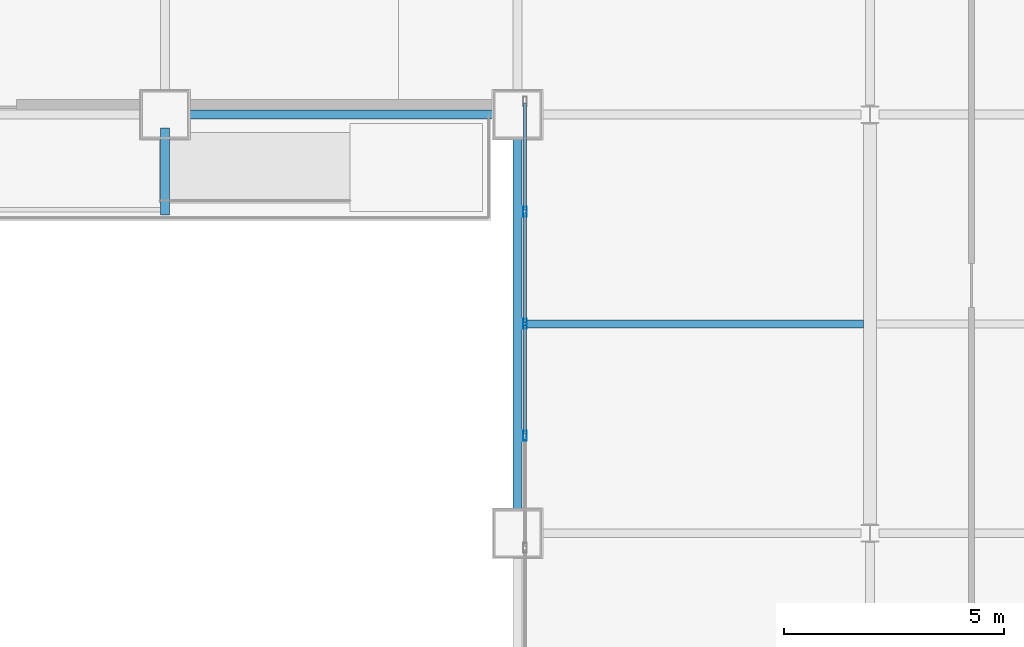
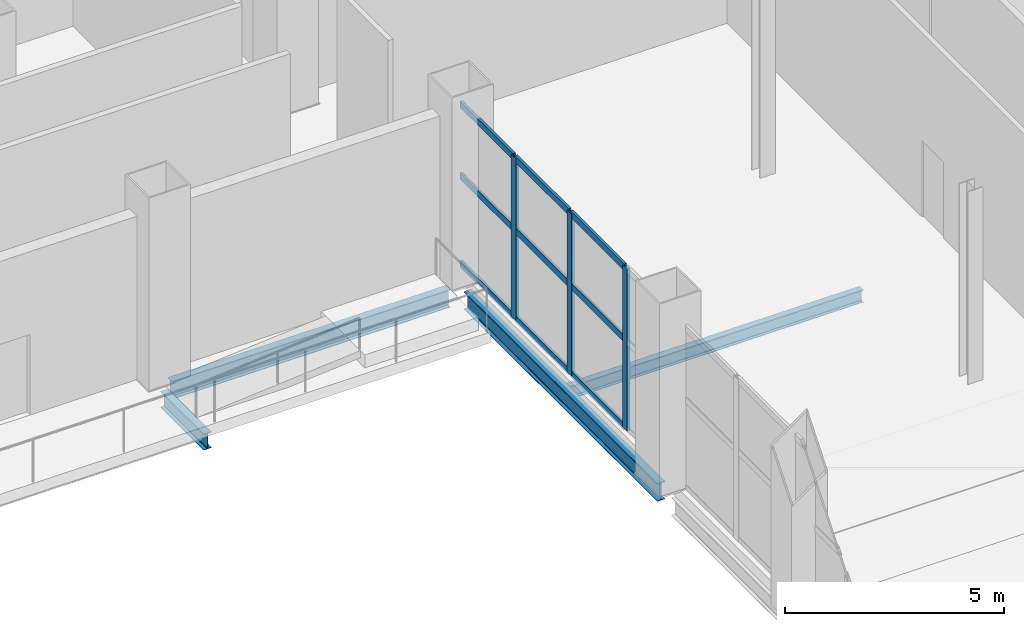
# One storey, part 8 of 22: 12 members, 4 beams, 1 element without a shape of its own.
"""IFC4 building model written with IfcOpenShell, lengths in metres."""

from ifc_helpers import new_model, si_unit, direction, frame, origin, origin_2d, place, context, subcontext, project, spatial, hollow_rectangle, i_section, extrude, material, layer, layer_set, material_profile, profile_set, type_object, element, aggregate, save


model = new_model("IFC4")

# Units and contexts
model_context = context("Model", 3, precision=1e-05, world=origin(), true_north=direction((0.0, 1.0)))
body_context = subcontext(model_context, "Body", "Model", "MODEL_VIEW")
ifc_project = project(units=[si_unit("LENGTHUNIT", "METRE"), si_unit("AREAUNIT", "SQUARE_METRE"), si_unit("VOLUMEUNIT", "CUBIC_METRE"), si_unit("PLANEANGLEUNIT", "RADIAN"), si_unit("MASSUNIT", "GRAM", prefix="KILO")], contexts=[model_context])

# Site, building, storey
site_placement = place(None, origin())
site = spatial("IfcSite", under=ifc_project, at=site_placement, CompositionType="ELEMENT")
building_placement = place(site_placement, origin())
building = spatial("IfcBuilding", under=site, at=building_placement, Name="Qianrong Seaharbour Tower", CompositionType="ELEMENT")
storey_placement = place(building_placement, frame((0.0, 0.0, 113.60009765625)))
storey = spatial("IfcBuildingStorey", under=building, at=storey_placement, Name="L27", CompositionType="ELEMENT", Elevation=113.60009765625)

# Beams
ifc_material_1 = material(Name="Structural steel SN400B", Category="steel")
ifc_material_profile_1 = material_profile(ifc_material_1, i_section(OverallWidth=0.175048828125, OverallDepth=0.35009765625, WebThickness=0.007080078125, FlangeThickness=0.010986328125, FilletRadius=0.013916015625, at=origin_2d()), Name="H350x175x7x11")
ifc_profile_set_1 = profile_set([ifc_material_profile_1], Name="Structural steel SN400B")
beam_type_1 = type_object("IfcBeamType", Name="BM-J-350", PredefinedType="JOIST", material=ifc_profile_set_1)
beam_1_placement = place(storey_placement, frame((40.60009765625, 23.25, -0.47509765625), z_axis=(1.0, 0.0, 0.0), x_axis=(0.0, 1.0, 0.0)))
element("IfcBeam", 1, at=beam_1_placement, inside=storey, type_object=beam_type_1, Name="L27 Composite Floor Joist G6-G7/GD-GE", PredefinedType="JOIST", context=body_context, shape_type="SweptSolid", body=[
    extrude(i_section(OverallWidth=0.175048828125, OverallDepth=0.35009765625, WebThickness=0.007080078125, FlangeThickness=0.010986328125, FilletRadius=0.013916015625, at=origin_2d()), origin(), (0.0, 0.0, 1.0), 7.75),
])
ifc_material_2 = material(Name="Structural steel SN490B", Category="steel")
ifc_material_profile_2 = material_profile(ifc_material_2, i_section(OverallWidth=0.199951171875, OverallDepth=0.449951171875, WebThickness=0.009033203125, FlangeThickness=0.013916015625, FilletRadius=0.01806640625, at=origin_2d()), Name="H450x200x9x14")
ifc_profile_set_2 = profile_set([ifc_material_profile_2], Name="Structural steel SN490B")
beam_type_2 = type_object("IfcBeamType", Name="BM-RIB-450", PredefinedType="BEAM", material=ifc_profile_set_2)
beam_2_placement = place(storey_placement, frame((32.5, 27.699951171875, -0.525146484375), z_axis=(0.0, -1.0, 0.0), x_axis=(1.0, 0.0, 0.0)))
element("IfcBeam", 2, at=beam_2_placement, inside=storey, type_object=beam_type_2, Name="L27 Harbourfront Ribbon Cantilever Bracket G5", PredefinedType="BEAM", context=body_context, shape_type="SweptSolid", body=[
    extrude(i_section(OverallWidth=0.199951171875, OverallDepth=0.449951171875, WebThickness=0.009033203125, FlangeThickness=0.013916015625, FilletRadius=0.01806640625, at=origin_2d()), origin(), (0.0, 0.0, 1.0), 1.97998046875),
])
ifc_material_profile_3 = material_profile(ifc_material_2, i_section(OverallWidth=0.199951171875, OverallDepth=0.5, WebThickness=0.010009765625, FlangeThickness=0.01611328125, FilletRadius=0.02001953125, at=origin_2d()), Name="H500x200x10x16")
ifc_profile_set_3 = profile_set([ifc_material_profile_3], Name="Structural steel SN490B")
beam_type_3 = type_object("IfcBeamType", Name="BM-SP-500", PredefinedType="SPANDREL", material=ifc_profile_set_3)
beam_3_placement = place(storey_placement, frame((32.820068359375, 28.0, -0.550048828125), z_axis=(1.0, 0.0, 0.0), x_axis=(0.0, 1.0, 0.0)))
element("IfcBeam", 3, at=beam_3_placement, inside=storey, type_object=beam_type_3, Name="L27 Spandrel Girder GE G5-G6", PredefinedType="SPANDREL", context=body_context, shape_type="SweptSolid", body=[
    extrude(i_section(OverallWidth=0.199951171875, OverallDepth=0.5, WebThickness=0.010009765625, FlangeThickness=0.01611328125, FilletRadius=0.02001953125, at=origin_2d()), origin(), (0.0, 0.0, 1.0), 7.35986328125),
])
beam_4_placement = place(storey_placement, frame((40.5, 18.820068359375, -0.550048828125), z_axis=(0.0, 1.0, 0.0), x_axis=(-1.0, 0.0, 0.0)))
element("IfcBeam", 4, at=beam_4_placement, inside=storey, type_object=beam_type_3, Name="L27 Spandrel Girder G6 GD-GE", PredefinedType="SPANDREL", context=body_context, shape_type="SweptSolid", body=[
    extrude(i_section(OverallWidth=0.199951171875, OverallDepth=0.5, WebThickness=0.010009765625, FlangeThickness=0.01611328125, FilletRadius=0.02001953125, at=origin_2d()), origin(), (0.0, 0.0, 1.0), 8.85986328125),
])

# Curtain wall, members
ifc_material_3 = material(Name="Anodised aluminium 6063-T6 and laminated low-e glass", Category="aluminium")
ifc_layer = layer(ifc_material_3, 0.2099609375)
ifc_layer_set = layer_set([ifc_layer], Name="Anodised aluminium 6063-T6 and laminated low-e glass")
curtain_wall_type = type_object("IfcCurtainWallType", Name="CW-SYS-2", PredefinedType="NOTDEFINED", material=ifc_layer_set)
curtain_wall_placement = place(storey_placement, origin())
curtain_wall = element("IfcCurtainWall", 5, at=curtain_wall_placement, inside=storey, type_object=curtain_wall_type, Name="L27 Sky-Lobby Feature Curtain Wall REENTRANT_WEST", PredefinedType="NOTDEFINED")
ifc_material_4 = material(Name="Extruded aluminium 6063-T6", Category="aluminium")
ifc_material_profile_4 = material_profile(ifc_material_4, hollow_rectangle(XDim=0.080078125, YDim=0.219970703125, WallThickness=0.0048828125, at=origin_2d()), Name="ALU-MUL-220x80x5")
ifc_profile_set_4 = profile_set([ifc_material_profile_4], Name="Extruded aluminium 6063-T6")
member_type_1 = type_object("IfcMemberType", Name="CW-MUL-220", PredefinedType="MULLION", material=ifc_profile_set_4)
member_1_placement = place(storey_placement, frame((40.669921875, 20.71240234375, 0.0), z_axis=(0.0, 0.0, 1.0), x_axis=(-1.0, 0.0, 0.0)))
member_1 = element("IfcMember", 6, at=member_1_placement, type_object=member_type_1, Name="CW-2 mullion 6", PredefinedType="MULLION", context=body_context, shape_type="SweptSolid", body=[
    extrude(hollow_rectangle(XDim=0.080078125, YDim=0.219970703125, WallThickness=0.0048828125, at=origin_2d()), origin(), (0.0, 0.0, 1.0), 4.52490234375),
])
member_2_placement = place(storey_placement, frame((40.669921875, 23.2548828125, 0.0), z_axis=(0.0, 0.0, 1.0), x_axis=(-1.0, 0.0, 0.0)))
member_2 = element("IfcMember", 7, at=member_2_placement, type_object=member_type_1, Name="CW-2 mullion 7", PredefinedType="MULLION", context=body_context, shape_type="SweptSolid", body=[
    extrude(hollow_rectangle(XDim=0.080078125, YDim=0.219970703125, WallThickness=0.0048828125, at=origin_2d()), origin(), (0.0, 0.0, 1.0), 4.52490234375),
])
member_3_placement = place(storey_placement, frame((40.669921875, 25.797607421875, 0.0), z_axis=(0.0, 0.0, 1.0), x_axis=(-1.0, 0.0, 0.0)))
member_3 = element("IfcMember", 8, at=member_3_placement, type_object=member_type_1, Name="CW-2 mullion 8", PredefinedType="MULLION", context=body_context, shape_type="SweptSolid", body=[
    extrude(hollow_rectangle(XDim=0.080078125, YDim=0.219970703125, WallThickness=0.0048828125, at=origin_2d()), origin(), (0.0, 0.0, 1.0), 4.52490234375),
])
ifc_material_profile_5 = material_profile(ifc_material_4, hollow_rectangle(XDim=0.070068359375, YDim=0.179931640625, WallThickness=0.00390625, at=origin_2d()), Name="ALU-TRN-180x70x4")
ifc_profile_set_5 = profile_set([ifc_material_profile_5], Name="Extruded aluminium 6063-T6")
member_type_2 = type_object("IfcMemberType", Name="CW-TRN-180", PredefinedType="USERDEFINED", material=ifc_profile_set_5)
member_4_placement = place(storey_placement, frame((40.669921875, 20.75244140625, 0.034912109375), z_axis=(0.0, 1.0, 0.0), x_axis=(-1.0, 0.0, 0.0)))
member_4 = element("IfcMember", 9, at=member_4_placement, type_object=member_type_2, Name="CW-2 transom 6.1", ObjectType="TRANSOM", PredefinedType="USERDEFINED", context=body_context, shape_type="SweptSolid", body=[
    extrude(hollow_rectangle(XDim=0.070068359375, YDim=0.179931640625, WallThickness=0.00390625, at=origin_2d()), origin(), (0.0, 0.0, 1.0), 2.462646484375),
])
member_5_placement = place(storey_placement, frame((40.669921875, 20.75244140625, 2.48876953125), z_axis=(0.0, 1.0, 0.0), x_axis=(-1.0, 0.0, 0.0)))
member_5 = element("IfcMember", 10, at=member_5_placement, type_object=member_type_2, Name="CW-2 transom 6.2", ObjectType="TRANSOM", PredefinedType="USERDEFINED", context=body_context, shape_type="SweptSolid", body=[
    extrude(hollow_rectangle(XDim=0.070068359375, YDim=0.179931640625, WallThickness=0.00390625, at=origin_2d()), origin(), (0.0, 0.0, 1.0), 2.462646484375),
])
member_6_placement = place(storey_placement, frame((40.669921875, 20.75244140625, 4.489990234375), z_axis=(0.0, 1.0, 0.0), x_axis=(-1.0, 0.0, 0.0)))
member_6 = element("IfcMember", 11, at=member_6_placement, type_object=member_type_2, Name="CW-2 transom 6.3", ObjectType="TRANSOM", PredefinedType="USERDEFINED", context=body_context, shape_type="SweptSolid", body=[
    extrude(hollow_rectangle(XDim=0.070068359375, YDim=0.179931640625, WallThickness=0.00390625, at=origin_2d()), origin(), (0.0, 0.0, 1.0), 2.462646484375),
])
member_7_placement = place(storey_placement, frame((40.669921875, 23.294921875, 0.034912109375), z_axis=(0.0, 1.0, 0.0), x_axis=(-1.0, 0.0, 0.0)))
member_7 = element("IfcMember", 12, at=member_7_placement, type_object=member_type_2, Name="CW-2 transom 7.1", ObjectType="TRANSOM", PredefinedType="USERDEFINED", context=body_context, shape_type="SweptSolid", body=[
    extrude(hollow_rectangle(XDim=0.070068359375, YDim=0.179931640625, WallThickness=0.00390625, at=origin_2d()), origin(), (0.0, 0.0, 1.0), 2.462646484375),
])
member_8_placement = place(storey_placement, frame((40.669921875, 23.294921875, 2.48876953125), z_axis=(0.0, 1.0, 0.0), x_axis=(-1.0, 0.0, 0.0)))
member_8 = element("IfcMember", 13, at=member_8_placement, type_object=member_type_2, Name="CW-2 transom 7.2", ObjectType="TRANSOM", PredefinedType="USERDEFINED", context=body_context, shape_type="SweptSolid", body=[
    extrude(hollow_rectangle(XDim=0.070068359375, YDim=0.179931640625, WallThickness=0.00390625, at=origin_2d()), origin(), (0.0, 0.0, 1.0), 2.462646484375),
])
member_9_placement = place(storey_placement, frame((40.669921875, 23.294921875, 4.489990234375), z_axis=(0.0, 1.0, 0.0), x_axis=(-1.0, 0.0, 0.0)))
member_9 = element("IfcMember", 14, at=member_9_placement, type_object=member_type_2, Name="CW-2 transom 7.3", ObjectType="TRANSOM", PredefinedType="USERDEFINED", context=body_context, shape_type="SweptSolid", body=[
    extrude(hollow_rectangle(XDim=0.070068359375, YDim=0.179931640625, WallThickness=0.00390625, at=origin_2d()), origin(), (0.0, 0.0, 1.0), 2.462646484375),
])
member_10_placement = place(storey_placement, frame((40.669921875, 25.83740234375, 0.034912109375), z_axis=(0.0, 1.0, 0.0), x_axis=(-1.0, 0.0, 0.0)))
member_10 = element("IfcMember", 15, at=member_10_placement, type_object=member_type_2, Name="CW-2 transom 8.1", ObjectType="TRANSOM", PredefinedType="USERDEFINED", context=body_context, shape_type="SweptSolid", body=[
    extrude(hollow_rectangle(XDim=0.070068359375, YDim=0.179931640625, WallThickness=0.00390625, at=origin_2d()), origin(), (0.0, 0.0, 1.0), 2.422607421875),
])
member_11_placement = place(storey_placement, frame((40.669921875, 25.83740234375, 2.48876953125), z_axis=(0.0, 1.0, 0.0), x_axis=(-1.0, 0.0, 0.0)))
member_11 = element("IfcMember", 16, at=member_11_placement, type_object=member_type_2, Name="CW-2 transom 8.2", ObjectType="TRANSOM", PredefinedType="USERDEFINED", context=body_context, shape_type="SweptSolid", body=[
    extrude(hollow_rectangle(XDim=0.070068359375, YDim=0.179931640625, WallThickness=0.00390625, at=origin_2d()), origin(), (0.0, 0.0, 1.0), 2.422607421875),
])
member_12_placement = place(storey_placement, frame((40.669921875, 25.83740234375, 4.489990234375), z_axis=(0.0, 1.0, 0.0), x_axis=(-1.0, 0.0, 0.0)))
member_12 = element("IfcMember", 17, at=member_12_placement, type_object=member_type_2, Name="CW-2 transom 8.3", ObjectType="TRANSOM", PredefinedType="USERDEFINED", context=body_context, shape_type="SweptSolid", body=[
    extrude(hollow_rectangle(XDim=0.070068359375, YDim=0.179931640625, WallThickness=0.00390625, at=origin_2d()), origin(), (0.0, 0.0, 1.0), 2.422607421875),
])
aggregate(curtain_wall, [member_1, member_2, member_3, member_4, member_5, member_6, member_7, member_8, member_9, member_10, member_11, member_12])

save(model, "model.ifc")
